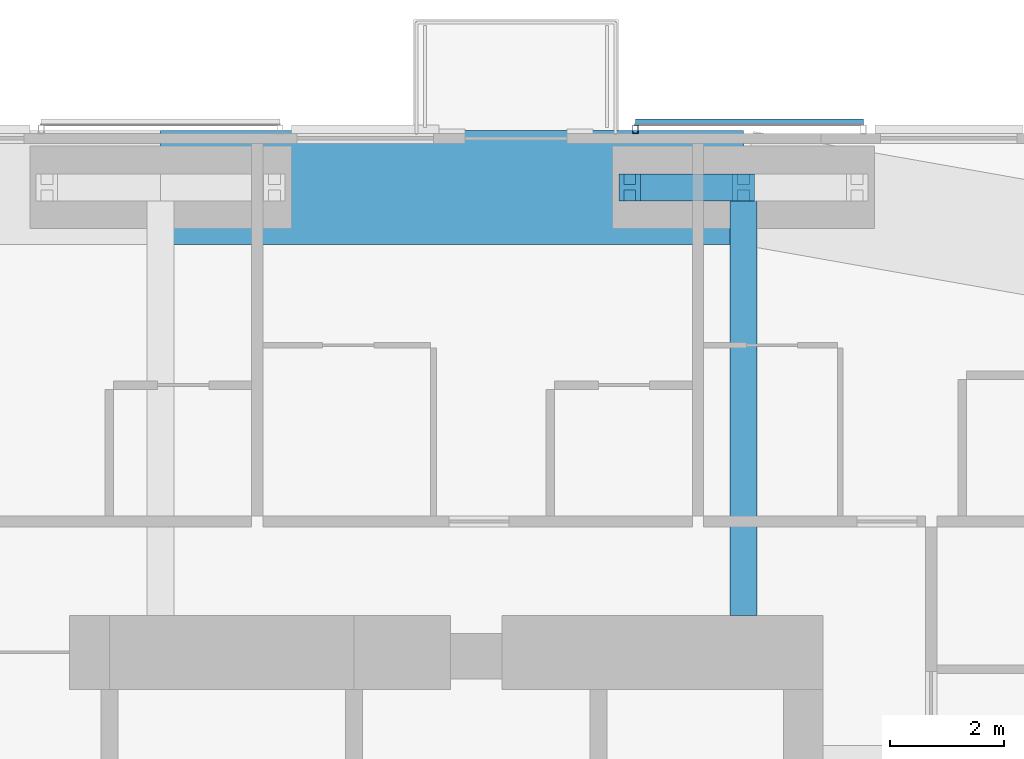
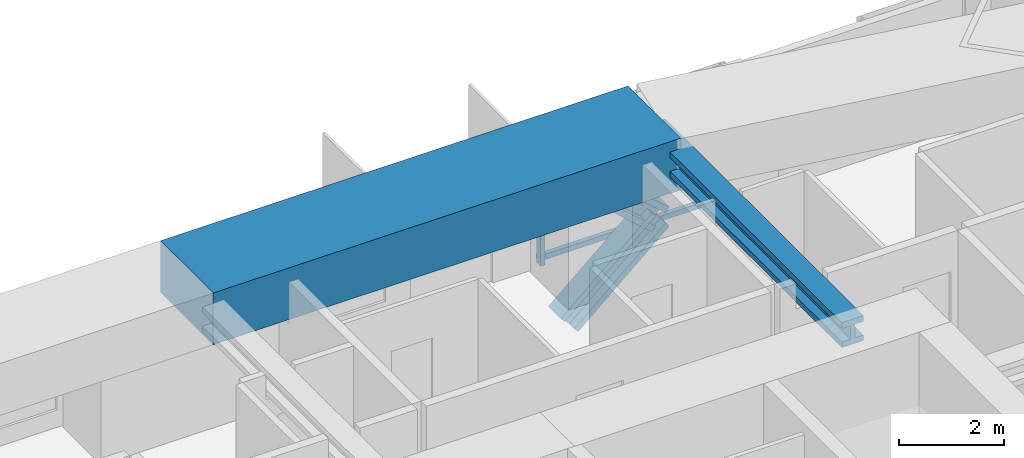
# One storey, part 12 of 22: 4 members, 2 beams, 1 element without a shape of its own.
"""IFC4 building model written with IfcOpenShell, lengths in metres."""

from ifc_helpers import new_model, si_unit, direction, frame, origin, origin_2d, place, context, subcontext, project, spatial, rectangle, hollow_rectangle, i_section, extrude, material, material_profile, profile_set, type_object, element, aggregate, save


model = new_model("IFC4")

# Units and contexts
model_context = context("Model", 3, precision=1e-05, world=origin(), true_north=direction((0.0, 1.0)))
body_context = subcontext(model_context, "Body", "Model", "MODEL_VIEW")
ifc_project = project(units=[si_unit("LENGTHUNIT", "METRE"), si_unit("AREAUNIT", "SQUARE_METRE"), si_unit("VOLUMEUNIT", "CUBIC_METRE"), si_unit("PLANEANGLEUNIT", "RADIAN"), si_unit("MASSUNIT", "GRAM", prefix="KILO")], contexts=[model_context])

# Site, building, storey
site_placement = place(None, origin())
site = spatial("IfcSite", under=ifc_project, at=site_placement, CompositionType="ELEMENT")
building_placement = place(site_placement, origin())
building = spatial("IfcBuilding", under=site, at=building_placement, Name="Jalousie Tower", CompositionType="ELEMENT")
storey_placement = place(building_placement, frame((0.0, 0.0, 154.35009765625)))
storey = spatial("IfcBuildingStorey", under=building, at=storey_placement, Name="L41", CompositionType="ELEMENT", Elevation=154.35009765625)

# Beam
ifc_material_1 = material(Name="Steel ASTM A992 Grade 50", Category="steel")
ifc_material_profile_1 = material_profile(ifc_material_1, i_section(OverallWidth=0.472412109375, OverallDepth=0.5791015625, WebThickness=0.094970703125, FlangeThickness=0.1298828125, at=origin_2d()), Name="W14X808")
ifc_profile_set_1 = profile_set([ifc_material_profile_1], Name="Steel ASTM A992 Grade 50")
beam_type_1 = type_object("IfcBeamType", Name="LEAN COLLECTOR W14X808", PredefinedType="BEAM", material=ifc_profile_set_1)
beam_1_placement = place(storey_placement, frame((42.75, 35.050048828125, 2.8203125), z_axis=(0.0, -1.0, 0.0), x_axis=(1.0, 0.0, 0.0)))
element("IfcBeam", 1, at=beam_1_placement, inside=storey, type_object=beam_type_1, Name="Lean collector under L42", PredefinedType="BEAM", context=body_context, shape_type="SweptSolid", body=[
    extrude(i_section(OverallWidth=0.472412109375, OverallDepth=0.5791015625, WebThickness=0.094970703125, FlangeThickness=0.1298828125, at=origin_2d()), origin(), (0.0, 0.0, 1.0), 7.525146484375),
])

# Members
ifc_material_2 = material(Name="Steel ASTM A992 Grade 50", Category="steel")
ifc_material_profile_2 = material_profile(ifc_material_2, i_section(OverallWidth=0.472412109375, OverallDepth=0.5791015625, WebThickness=0.094970703125, FlangeThickness=0.1298828125, at=origin_2d()), Name="W14X808")
ifc_profile_set_2 = profile_set([ifc_material_profile_2], Name="Steel ASTM A992 Grade 50")
member_type_1 = type_object("IfcMemberType", Name="PERIMETER BRACE W14X808", PredefinedType="BRACE", material=ifc_profile_set_2)
for number, where, z_axis, x_axis, name in (
    (2, (40.75, 35.050048828125, -0.75), (0.752576694707, 0.0, 0.658504607869), (0.0, 1.0, 0.0), "Perimeter brace 09 L41 part 1"),
    (3, (42.75, 35.050048828125, 1.0), (-0.752576694707, 0.0, 0.658504607869), (0.0, -1.0, 0.0), "Perimeter brace 09 L41 part 4"),
):
    element("IfcMember", number, at=place(storey_placement, frame(where, z_axis=z_axis, x_axis=x_axis)), inside=storey, type_object=member_type_1, Name=name, PredefinedType="BRACE", context=body_context, shape_type="SweptSolid", body=[
        extrude(i_section(OverallWidth=0.472412109375, OverallDepth=0.5791015625, WebThickness=0.094970703125, FlangeThickness=0.1298828125, at=origin_2d()), origin(), (0.0, 0.0, 1.0), 2.657470703125),
    ])

# Beam
ifc_material_3 = material(Name="Concrete f'c 40 MPa", Category="concrete")
ifc_material_profile_3 = material_profile(ifc_material_3, rectangle(XDim=2.0, YDim=1.199951171875, at=origin_2d()), Name="RC 2000x1200")
ifc_profile_set_3 = profile_set([ifc_material_profile_3], Name="Concrete f'c 40 MPa")
beam_type_2 = type_object("IfcBeamType", Name="RC BEAM 2000x1200", PredefinedType="BEAM", material=ifc_profile_set_3)
beam_2_placement = place(storey_placement, frame((42.75, 35.050048828125, 2.75), z_axis=(-1.0, 0.0, 0.0), x_axis=(0.0, -1.0, 0.0)))
element("IfcBeam", 4, at=beam_2_placement, inside=storey, type_object=beam_type_2, Name="Edge band beam 09-10 under L42", PredefinedType="BEAM", context=body_context, shape_type="SweptSolid", body=[
    extrude(rectangle(XDim=2.0, YDim=1.199951171875, at=origin_2d()), origin(), (0.0, 0.0, 1.0), 10.25),
])

# Curtain wall, members
ifc_material_4 = material(Name="Perforated aluminium sheet", Category="aluminium")
curtain_wall_type = type_object("IfcCurtainWallType", Name="SOLAR SCREEN SS-1", PredefinedType="USERDEFINED", material=ifc_material_4)
curtain_wall_placement = place(storey_placement, origin())
curtain_wall = element("IfcCurtainWall", 5, at=curtain_wall_placement, inside=storey, type_object=curtain_wall_type, Name="Solar screen L41", ObjectType="SOLAR SCREEN SS-1", PredefinedType="USERDEFINED")
ifc_material_5 = material(Name="Steel ASTM A500 Grade C", Category="steel")
ifc_material_profile_4 = material_profile(ifc_material_5, hollow_rectangle(XDim=0.1015625, YDim=0.15234375, WallThickness=0.00634765625, at=origin_2d()), Name="HSS6X4X1/4")
ifc_profile_set_4 = profile_set([ifc_material_profile_4], Name="Steel ASTM A500 Grade C")
member_type_2 = type_object("IfcMemberType", Name="SOLAR SCREEN SS-1 MULLION", PredefinedType="MULLION", material=ifc_profile_set_4)
member_1_placement = place(storey_placement, frame((40.85009765625, 36.0712890625, -0.1201171875), z_axis=(0.0, 0.0, 1.0), x_axis=(-1.0, 0.0, 0.0)))
member_1 = element("IfcMember", 6, at=member_1_placement, type_object=member_type_2, Name="SS1 post 2", PredefinedType="MULLION", context=body_context, shape_type="SweptSolid", body=[
    extrude(hollow_rectangle(XDim=0.1015625, YDim=0.15234375, WallThickness=0.00634765625, at=origin_2d()), origin(), (0.0, 0.0, 1.0), 3.22998046875),
])
ifc_material_6 = material(Name="Extruded aluminium screen rail", Category="aluminium")
ifc_material_profile_5 = material_profile(ifc_material_6, rectangle(XDim=0.1015625, YDim=0.1201171875, at=origin_2d()), Name="RAIL 102x120")
ifc_profile_set_5 = profile_set([ifc_material_profile_5], Name="Extruded aluminium screen rail")
member_type_3 = type_object("IfcMemberType", Name="SOLAR SCREEN SS-1 TRANSOM", PredefinedType="USERDEFINED", material=ifc_profile_set_5)
member_2_placement = place(storey_placement, frame((44.859130859375, 36.1982421875, -0.06005859375), z_axis=(-1.0, 0.0, 0.0), x_axis=(0.0, -1.0, 0.0)))
member_2 = element("IfcMember", 7, at=member_2_placement, type_object=member_type_3, Name="SS1 rail", ObjectType="TRANSOM", PredefinedType="USERDEFINED", context=body_context, shape_type="SweptSolid", body=[
    extrude(rectangle(XDim=0.1015625, YDim=0.1201171875, at=origin_2d()), origin(), (0.0, 0.0, 1.0), 4.009033203125),
])
aggregate(curtain_wall, [member_1, member_2])

save(model, "model.ifc")
